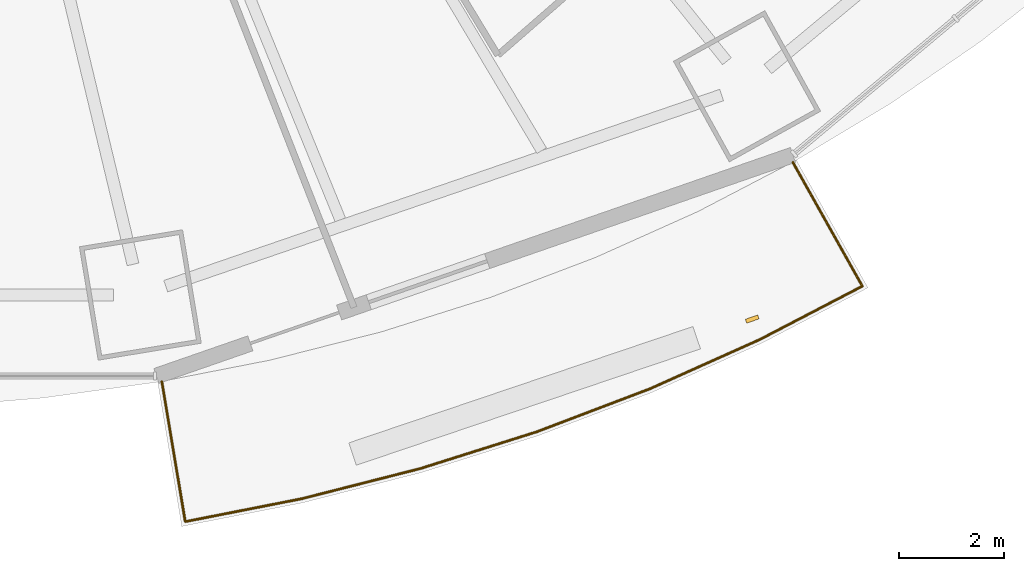
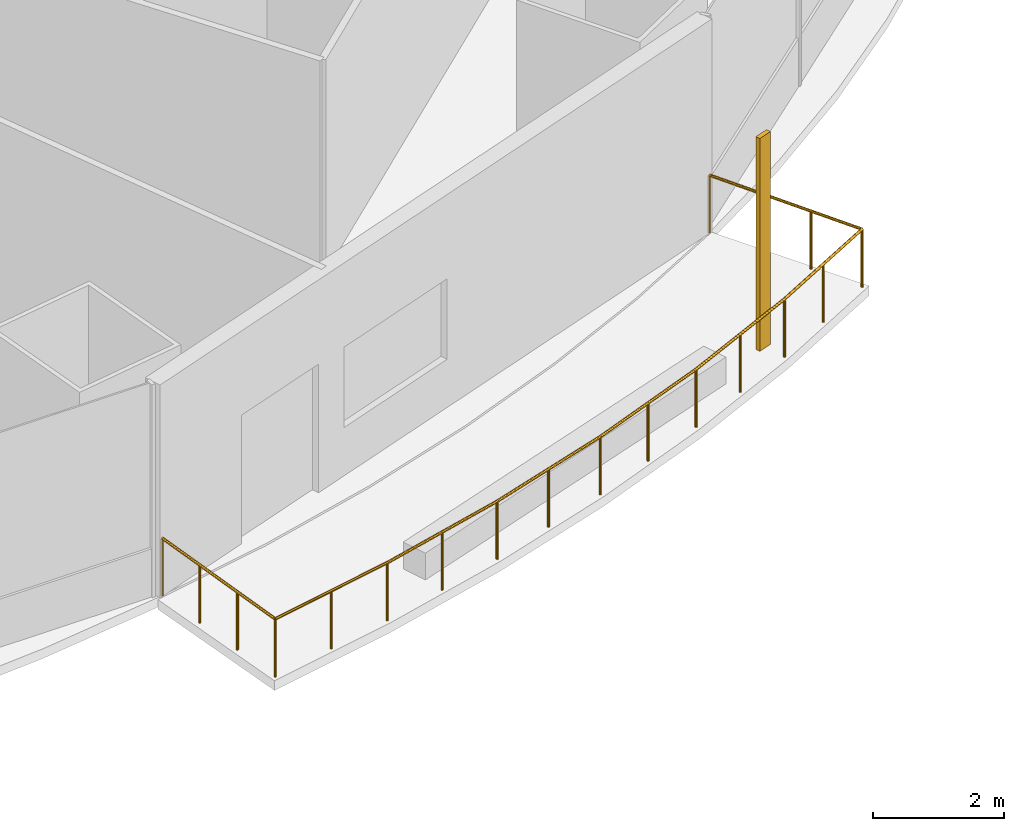
# One storey, part 18 of 21: 1 railing, 1 shading device.
"""IFC4 building model written with IfcOpenShell, lengths in metres."""

from ifc_helpers import new_model, si_unit, direction, frame, origin, origin_2d, place, context, subcontext, project, spatial, rectangle, circle, extrude, material, material_profile, profile_set, type_object, element, save


model = new_model("IFC4")

# Units and contexts
model_context = context("Model", 3, precision=1e-05, world=origin(), true_north=direction((0.0, 1.0)))
body_context = subcontext(model_context, "Body", "Model", "MODEL_VIEW")
ifc_project = project(units=[si_unit("LENGTHUNIT", "METRE"), si_unit("AREAUNIT", "SQUARE_METRE"), si_unit("VOLUMEUNIT", "CUBIC_METRE"), si_unit("PLANEANGLEUNIT", "RADIAN"), si_unit("MASSUNIT", "GRAM", prefix="KILO")], contexts=[model_context])

# Site, building, storey
site_placement = place(None, origin())
site = spatial("IfcSite", under=ifc_project, at=site_placement, CompositionType="ELEMENT")
building_placement = place(site_placement, origin())
building = spatial("IfcBuilding", under=site, at=building_placement, Name="Marenthal Gate Tower", CompositionType="ELEMENT")
storey_placement = place(building_placement, frame((0.0, 0.0, 120.14990234375)))
storey = spatial("IfcBuildingStorey", under=building, at=storey_placement, Name="L25", CompositionType="ELEMENT", Elevation=120.14990234375)

# Railing
ifc_material_1 = material(Name="Stainless steel", Category="steel")
railing_type = type_object("IfcRailingType", Name="Balcony guard 1100", PredefinedType="GUARDRAIL", material=ifc_material_1)
railing_placement = place(storey_placement, frame((18.766357421875, -23.687744140625, 0.0)))
element("IfcRailing", 1, at=railing_placement, inside=storey, type_object=railing_type, Name="Balcony guard L25 bay 13", PredefinedType="GUARDRAIL", context=body_context, shape_type="SweptSolid", body=[
    extrude(circle(Radius=0.02392578125, at=origin_2d()), frame((0.0, 0.0, 1.076171875), z_axis=(0.489198624096, -0.872049721215, -0.014628394006), x_axis=(0.872143041114, 0.489250974283, 0.0)), (0.0, 0.0, 1.0), 2.720458984375),
    extrude(circle(Radius=0.02392578125, at=origin_2d()), frame((1.330810546875, -2.372314453125, 1.0361328125), z_axis=(-0.887124453904, -0.461530284257, 0.0), x_axis=(0.461530284257, -0.887124453904, 0.0)), (0.0, 0.0, 1.0), 2.2080078125),
    extrude(circle(Radius=0.02392578125, at=origin_2d()), frame((-0.6279296875, -3.391357421875, 1.0361328125), z_axis=(-0.912452038961, -0.409183670979, 0.0), x_axis=(0.409183670979, -0.912452038961, 0.0)), (0.0, 0.0, 1.0), 2.30419921875),
    extrude(circle(Radius=0.02392578125, at=origin_2d()), frame((-2.73046875, -4.334228515625, 1.0361328125), z_axis=(-0.934727645052, -0.355364924515, 0.0), x_axis=(0.355364924515, -0.934727645052, 0.0)), (0.0, 0.0, 1.0), 2.3193359375),
    extrude(circle(Radius=0.02392578125, at=origin_2d()), frame((-4.8984375, -5.158447265625, 1.0361328125), z_axis=(-0.953617459754, -0.301021162798, 0.0), x_axis=(0.301021162798, -0.953617459754, 0.0)), (0.0, 0.0, 1.0), 2.33251953125),
    extrude(circle(Radius=0.02392578125, at=origin_2d()), frame((-7.122802734375, -5.860595703125, 1.0361328125), z_axis=(-0.969104417167, -0.246650823286, 0.0), x_axis=(0.246650823286, -0.969104417167, 0.0)), (0.0, 0.0, 1.0), 2.343994140625),
    extrude(circle(Radius=0.02392578125, at=origin_2d()), frame((-9.394287109375, -6.438720703125, 1.0361328125), z_axis=(-0.981203457672, -0.192976098658, 0.0), x_axis=(0.192976098658, -0.981203457672, 0.0)), (0.0, 0.0, 1.0), 2.2734375),
    extrude(circle(Radius=0.02392578125, at=origin_2d()), frame((-11.625, -6.87744140625, 1.0361328125), z_axis=(-0.164774326367, 0.986222806342, 0.014628657515), x_axis=(-0.986328347949, -0.164791959854, 0.0)), (0.0, 0.0, 1.0), 2.720458984375),
    extrude(circle(Radius=0.02099609375, at=origin_2d()), origin(), (0.0, 0.0, 1.0), 1.052001953125),
    extrude(circle(Radius=0.02099609375, at=origin_2d()), frame((0.443603515625, -0.790771484375, -0.01318359375)), (0.0, 0.0, 1.0), 1.052001953125),
    extrude(circle(Radius=0.02099609375, at=origin_2d()), frame((0.88720703125, -1.58154296875, -0.026611328125)), (0.0, 0.0, 1.0), 1.052001953125),
    extrude(circle(Radius=0.02099609375, at=origin_2d()), frame((1.330810546875, -2.372314453125, -0.039794921875)), (0.0, 0.0, 1.0), 1.052001953125),
    extrude(circle(Radius=0.02099609375, at=origin_2d()), frame((0.3515625, -2.8818359375, -0.039794921875)), (0.0, 0.0, 1.0), 1.052001953125),
    extrude(circle(Radius=0.02099609375, at=origin_2d()), frame((-0.6279296875, -3.391357421875, -0.039794921875)), (0.0, 0.0, 1.0), 1.052001953125),
    extrude(circle(Radius=0.02099609375, at=origin_2d()), frame((-1.67919921875, -3.86279296875, -0.039794921875)), (0.0, 0.0, 1.0), 1.052001953125),
    extrude(circle(Radius=0.02099609375, at=origin_2d()), frame((-2.73046875, -4.334228515625, -0.039794921875)), (0.0, 0.0, 1.0), 1.052001953125),
    extrude(circle(Radius=0.02099609375, at=origin_2d()), frame((-3.814453125, -4.746337890625, -0.039794921875)), (0.0, 0.0, 1.0), 1.052001953125),
    extrude(circle(Radius=0.02099609375, at=origin_2d()), frame((-4.8984375, -5.158447265625, -0.039794921875)), (0.0, 0.0, 1.0), 1.052001953125),
    extrude(circle(Radius=0.02099609375, at=origin_2d()), frame((-6.0107421875, -5.509521484375, -0.039794921875)), (0.0, 0.0, 1.0), 1.052001953125),
    extrude(circle(Radius=0.02099609375, at=origin_2d()), frame((-7.122802734375, -5.860595703125, -0.039794921875)), (0.0, 0.0, 1.0), 1.052001953125),
    extrude(circle(Radius=0.02099609375, at=origin_2d()), frame((-8.258544921875, -6.149658203125, -0.039794921875)), (0.0, 0.0, 1.0), 1.052001953125),
    extrude(circle(Radius=0.02099609375, at=origin_2d()), frame((-9.394287109375, -6.438720703125, -0.039794921875)), (0.0, 0.0, 1.0), 1.052001953125),
    extrude(circle(Radius=0.02099609375, at=origin_2d()), frame((-10.509765625, -6.658203125, -0.039794921875)), (0.0, 0.0, 1.0), 1.052001953125),
    extrude(circle(Radius=0.02099609375, at=origin_2d()), frame((-11.625, -6.87744140625, -0.039794921875)), (0.0, 0.0, 1.0), 1.052001953125),
    extrude(circle(Radius=0.02099609375, at=origin_2d()), frame((-11.7744140625, -5.983154296875, -0.026611328125)), (0.0, 0.0, 1.0), 1.052001953125),
    extrude(circle(Radius=0.02099609375, at=origin_2d()), frame((-11.923828125, -5.0888671875, -0.01318359375)), (0.0, 0.0, 1.0), 1.052001953125),
    extrude(circle(Radius=0.02099609375, at=origin_2d()), frame((-12.0732421875, -4.194580078125, 0.0)), (0.0, 0.0, 1.0), 1.052001953125),
])

# Shading device
ifc_material_2 = material(Name="Terracotta", Category="masonry")
ifc_material_profile = material_profile(ifc_material_2, rectangle(XDim=0.25, YDim=0.080078125, at=origin_2d()), Name="Terracotta baguette 250x80")
ifc_profile_set = profile_set([ifc_material_profile], Name="Terracotta")
shading_device_type = type_object("IfcShadingDeviceType", Name="Terracotta BAGUETTE SCREEN 250x80", PredefinedType="USERDEFINED", material=ifc_profile_set)
shading_device_placement = place(storey_placement, frame((17.989501953125, -26.689453125, -0.039794921875), z_axis=(0.0, 0.0, 1.0), x_axis=(0.944576320007, 0.328291906207, 0.0)))
element("IfcShadingDevice", 2, at=shading_device_placement, inside=storey, type_object=shading_device_type, Name="Terracotta BAGUETTE L25 bay 13R", ObjectType="BAGUETTE SCREEN", PredefinedType="USERDEFINED", context=body_context, shape_type="SweptSolid", body=[
    extrude(rectangle(XDim=0.25, YDim=0.080078125, at=origin_2d()), origin(), (0.0, 0.0, 1.0), 3.969970703125),
])

save(model, "model.ifc")
